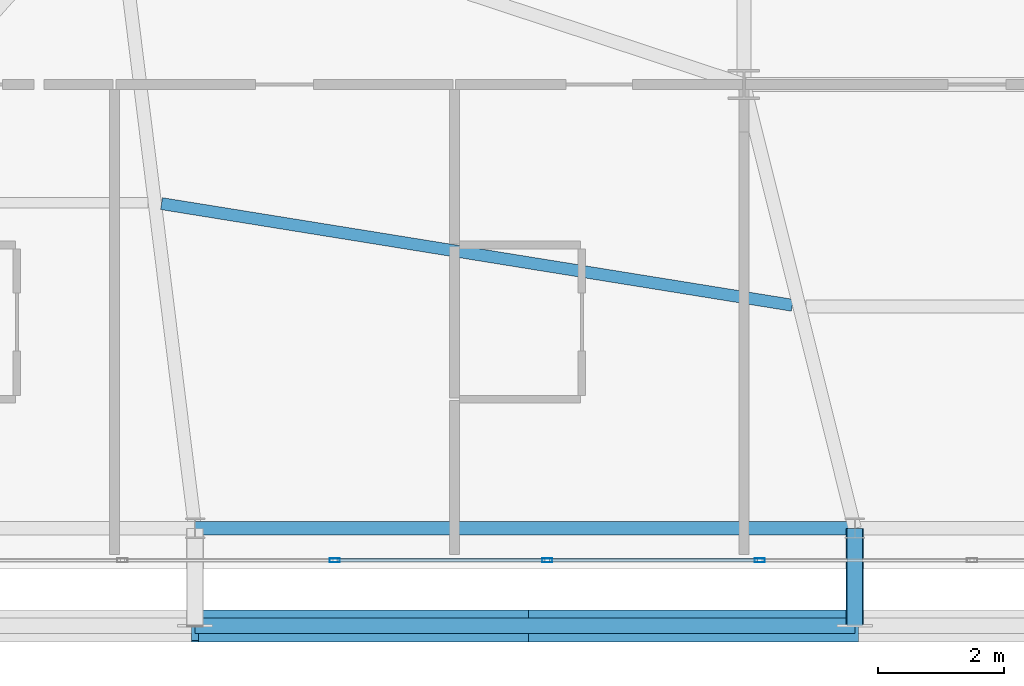
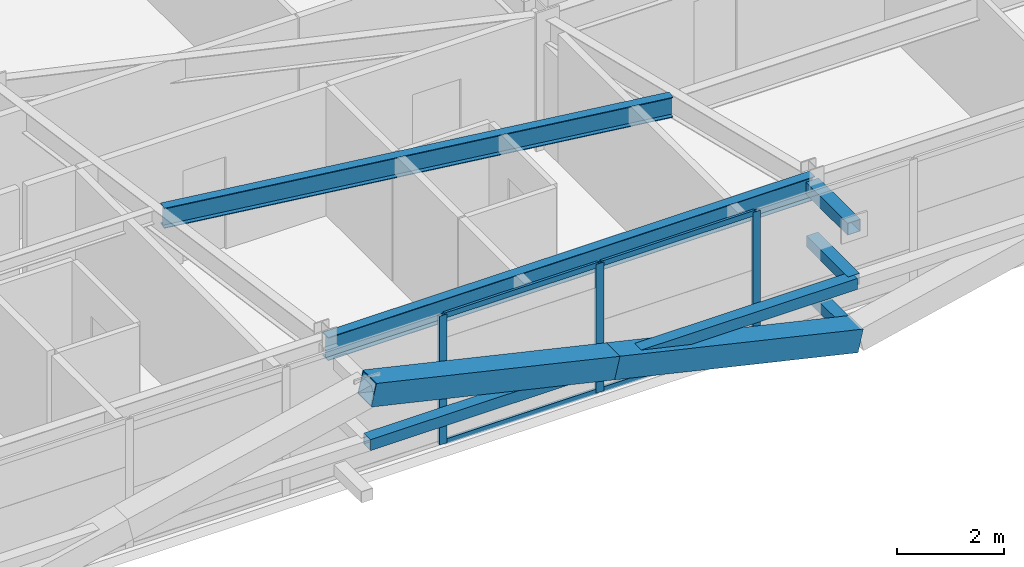
# One storey, part 11 of 58: 13 members, 2 beams, 1 element without a shape of its own.
"""IFC4 building model written with IfcOpenShell, lengths in metres."""

import ifcopenshell
import ifcopenshell.guid

model = None  # the IFC model being written
_history = None  # IfcOwnerHistory: only IFC2X3 demands one
_inside = {}  # id of a spatial element -> (the spatial element, [elements in it])
_under = {}  # id of a project, library or spatial element -> (it, [spatial elements below it])
_declared = {}  # id of a project -> (the project, [libraries it declares])
_typed = {}  # id of a type object -> (the type object, [elements of that type])
_made_of = {}  # id of a material, layer set ... -> (it, [elements and type objects made of it])


def new_model(schema):
    """Start an empty IFC model of exactly this schema.

    Asked for "IFC4X3", IfcOpenShell would pick the latest addendum, in which some entities
    have other attributes; the version numbers below select the first issue.
    IFC2X3 requires an IfcOwnerHistory on every rooted entity: one is made here for all.
    """
    global model, _history
    if schema == "IFC4X3":
        model = ifcopenshell.file(schema_version=(4, 3, 0, 0))
    else:
        model = ifcopenshell.file(schema=schema)
    _inside.clear()
    _under.clear()
    _declared.clear()
    _typed.clear()
    _made_of.clear()
    _history = None
    if model.schema == "IFC2X3":
        org = make("IfcOrganization", Name="unknown")
        user = make(
            "IfcPersonAndOrganization",
            ThePerson=make("IfcPerson", FamilyName="unknown"),
            TheOrganization=org,
        )
        app = make(
            "IfcApplication",
            ApplicationDeveloper=org,
            Version="unknown",
            ApplicationFullName="unknown",
            ApplicationIdentifier="unknown",
        )
        _history = make(
            "IfcOwnerHistory",
            OwningUser=user,
            OwningApplication=app,
            ChangeAction="ADDED",
            CreationDate=0,
        )
    return model


def make(cls, **values):
    """One entity of the class cls with the attributes given. An attribute that is None is left unset."""
    return model.create_entity(
        cls, **{name: value for name, value in values.items() if value is not None}
    )


def rooted(cls, **values):
    """An entity with a GlobalId (a new one), such as an element, a storey or a relation."""
    return make(cls, GlobalId=ifcopenshell.guid.new(), OwnerHistory=_history, **values)


def si_unit(unit_type, name, prefix=None):
    """IfcSIUnit, for example si_unit("LENGTHUNIT", "METRE", prefix="MILLI")."""
    return make("IfcSIUnit", UnitType=unit_type, Prefix=prefix, Name=name)


def assignment(units):
    """IfcUnitAssignment: the units of a project."""
    return None if units is None else make("IfcUnitAssignment", Units=units)


def point(xyz):
    """IfcCartesianPoint."""
    return None if xyz is None else make("IfcCartesianPoint", Coordinates=xyz)


def direction(xyz):
    """IfcDirection."""
    return None if xyz is None else make("IfcDirection", DirectionRatios=xyz)


def frame(location, z_axis=None, x_axis=None):
    """IfcAxis2Placement3D, a coordinate frame: its origin and axes. An axis left out is left unset."""
    return make(
        "IfcAxis2Placement3D",
        Location=point(location),
        Axis=direction(z_axis),
        RefDirection=direction(x_axis),
    )


def frame_2d(location, x_axis=None):
    """IfcAxis2Placement2D, a coordinate frame in the plane: its origin and x axis."""
    return make(
        "IfcAxis2Placement2D", Location=point(location), RefDirection=direction(x_axis)
    )


def origin():
    """The frame at (0, 0, 0) with its axes left unset."""
    return frame((0.0, 0.0, 0.0))


def origin_2d():
    """The frame at (0, 0) in the plane with its x axis left unset."""
    return frame_2d((0.0, 0.0))


def place(relative_to, where):
    """IfcLocalPlacement: puts the frame where relative to a parent placement (None: the world)."""
    return make(
        "IfcLocalPlacement", PlacementRelTo=relative_to, RelativePlacement=where
    )


def context(
    kind, dimensions, precision=None, world=None, true_north=None, identifier=None
):
    """IfcGeometricRepresentationContext, for example the 3D "Model" context."""
    return make(
        "IfcGeometricRepresentationContext",
        ContextIdentifier=identifier,
        ContextType=kind,
        CoordinateSpaceDimension=dimensions,
        Precision=precision,
        WorldCoordinateSystem=world,
        TrueNorth=true_north,
    )


def subcontext(parent, identifier, kind, view, scale=None):
    """IfcGeometricRepresentationSubContext, for example "Body" below "Model"."""
    return make(
        "IfcGeometricRepresentationSubContext",
        ContextIdentifier=identifier,
        ContextType=kind,
        ParentContext=parent,
        TargetScale=scale,
        TargetView=view,
    )


def project(units=None, contexts=None):
    """IfcProject with its units and contexts."""
    return rooted(
        "IfcProject",
        Name="project",
        RepresentationContexts=contexts,
        UnitsInContext=assignment(units),
    )


def spatial(cls, under=None, at=None, **own):
    """A site, building, storey or space (cls), placed at a placement, below another one or the project."""
    s = rooted(cls, ObjectPlacement=at, **own)
    if under is not None:
        _under.setdefault(under.id(), (under, []))[1].append(s)
    return s


def profile(cls, at=None, kind="AREA", **sizes):
    """A parametric profile (cls). Its sizes go by their IFC names, for example OverallWidth=200.0."""
    return make(cls, ProfileType=kind, Position=at, **sizes)


def hollow_rectangle(**sizes):
    """IfcRectangleHollowProfileDef."""
    return profile("IfcRectangleHollowProfileDef", **sizes)


def i_section(**sizes):
    """IfcIShapeProfileDef."""
    return profile("IfcIShapeProfileDef", **sizes)


def extrude(swept, where, along, depth):
    """IfcExtrudedAreaSolid: the profile swept, set in the frame where, extruded along a direction by depth."""
    return make(
        "IfcExtrudedAreaSolid",
        SweptArea=swept,
        Position=where,
        ExtrudedDirection=direction(along),
        Depth=depth,
    )


def shape(context_of_items, identifier, shape_type, items):
    """IfcShapeRepresentation: the items that make up one representation, for example the "Body"."""
    return make(
        "IfcShapeRepresentation",
        ContextOfItems=context_of_items,
        RepresentationIdentifier=identifier,
        RepresentationType=shape_type,
        Items=items,
    )


def source(mapping_origin, context_of_items, identifier, shape_type, items):
    """IfcRepresentationMap: a shape defined once, which mapped items show again and again."""
    return make(
        "IfcRepresentationMap",
        MappingOrigin=mapping_origin,
        MappedRepresentation=shape(context_of_items, identifier, shape_type, items),
    )


def transform(
    local_origin,
    x_axis=None,
    y_axis=None,
    z_axis=None,
    scale=None,
    scale2=None,
    scale3=None,
    uniform=True,
):
    """IfcCartesianTransformationOperator3D, or its non-uniform kind. x_axis, y_axis, z_axis: its Axis1, 2, 3."""
    if uniform:
        return make(
            "IfcCartesianTransformationOperator3D",
            Axis1=direction(x_axis),
            Axis2=direction(y_axis),
            LocalOrigin=point(local_origin),
            Scale=scale,
            Axis3=direction(z_axis),
        )
    return make(
        "IfcCartesianTransformationOperator3DnonUniform",
        Axis1=direction(x_axis),
        Axis2=direction(y_axis),
        LocalOrigin=point(local_origin),
        Scale=scale,
        Axis3=direction(z_axis),
        Scale2=scale2,
        Scale3=scale3,
    )


def mapped(mapping_source, mapping_target):
    """IfcMappedItem: shows the shape of a source again, moved by a transform."""
    return make(
        "IfcMappedItem", MappingSource=mapping_source, MappingTarget=mapping_target
    )


def material(Name=None, Category=None):
    """IfcMaterial."""
    return make("IfcMaterial", Name=Name, Category=Category)


def layer(
    of_material, thickness, ventilated=None, Name=None, Category=None, Priority=None
):
    """IfcMaterialLayer: one layer of a wall or slab, of a material (None: an air gap)."""
    return make(
        "IfcMaterialLayer",
        Material=of_material,
        LayerThickness=thickness,
        IsVentilated=ventilated,
        Name=Name,
        Category=Category,
        Priority=Priority,
    )


def layer_set(layers, Name=None):
    """IfcMaterialLayerSet."""
    return make("IfcMaterialLayerSet", MaterialLayers=layers, LayerSetName=Name)


def material_profile(
    of_material, cross_section, Name=None, Category=None, Priority=None
):
    """IfcMaterialProfile: a cross section and its material."""
    return make(
        "IfcMaterialProfile",
        Name=Name,
        Material=of_material,
        Profile=cross_section,
        Priority=Priority,
        Category=Category,
    )


def profile_set(profiles, Name=None, composite=None):
    """IfcMaterialProfileSet."""
    return make(
        "IfcMaterialProfileSet",
        Name=Name,
        MaterialProfiles=profiles,
        CompositeProfile=composite,
    )


def made_of(thing, what):
    """Note that an element or type object is made of a material, layer set ...; save() writes the relation."""
    if what is not None:
        _made_of.setdefault(what.id(), (what, []))[1].append(thing)
    return thing


def type_object(cls, material=None, **own):
    """A type object (cls), such as IfcWallType, which elements share."""
    return made_of(rooted(cls, **own), material)


def element(
    cls,
    number,
    at=None,
    inside=None,
    cuts=None,
    type_object=None,
    material=None,
    context=None,
    identifier="Body",
    shape_type=None,
    held_by="IfcProductDefinitionShape",
    body=None,
    shapes=None,
    **own,
):
    """One element of the class cls, such as IfcWall. Its Tag is "e" and its number.

    at: its placement. inside: the storey or other place that contains it. cuts: it is an
    opening in that element (IfcRelVoidsElement). A single representation is given by context,
    identifier, shape_type and body (its items); several are given by shapes. held_by: the class
    of the entity that holds the representations. save() writes the other relations.
    """
    e = rooted(cls, Tag="e%d" % number, ObjectPlacement=at, **own)
    if body is not None:
        shapes = [shape(context, identifier, shape_type, body)]
    if shapes is not None:
        e.Representation = make(held_by, Representations=shapes)
    if inside is not None:
        _inside.setdefault(inside.id(), (inside, []))[1].append(e)
    if cuts is not None:
        rooted(
            "IfcRelVoidsElement", RelatingBuildingElement=cuts, RelatedOpeningElement=e
        )
    if type_object is not None:
        _typed.setdefault(type_object.id(), (type_object, []))[1].append(e)
    return made_of(e, material)


def aggregate(whole, parts):
    """IfcRelAggregates: a whole, such as a stair, and the parts it consists of."""
    return rooted("IfcRelAggregates", RelatingObject=whole, RelatedObjects=parts)


def save(model, path):
    """Write the relations noted so far, then the file.

    IfcRelAggregates (storeys below a building ...), IfcRelContainedInSpatialStructure (elements
    in a storey), IfcRelDefinesByType, IfcRelAssociatesMaterial and IfcRelDeclares: one each for
    every whole, place, type object, material and project.
    """
    for whole, parts in _under.values():
        aggregate(whole, parts)
    for where, things in _inside.values():
        rooted(
            "IfcRelContainedInSpatialStructure",
            RelatedElements=things,
            RelatingStructure=where,
        )
    for kind, things in _typed.values():
        rooted("IfcRelDefinesByType", RelatedObjects=things, RelatingType=kind)
    for what, things in _made_of.values():
        rooted("IfcRelAssociatesMaterial", RelatedObjects=things, RelatingMaterial=what)
    for by, libraries in _declared.values():
        rooted("IfcRelDeclares", RelatingContext=by, RelatedDefinitions=libraries)
    model.write(path)


model = new_model("IFC4")

# Units and contexts
model_context = context("Model", 3, precision=1e-05, world=origin(), true_north=direction((0.0, 1.0)))
body_context = subcontext(model_context, "Body", "Model", "MODEL_VIEW")
ifc_project = project(units=[si_unit("LENGTHUNIT", "METRE"), si_unit("AREAUNIT", "SQUARE_METRE"), si_unit("VOLUMEUNIT", "CUBIC_METRE"), si_unit("PLANEANGLEUNIT", "RADIAN"), si_unit("MASSUNIT", "GRAM", prefix="KILO")], contexts=[model_context])

# Site, building, storey
site_placement = place(None, origin())
site = spatial("IfcSite", under=ifc_project, at=site_placement, CompositionType="ELEMENT")
building_placement = place(site_placement, origin())
building = spatial("IfcBuilding", under=site, at=building_placement, Name="Taldren Reach Tower", CompositionType="ELEMENT")
storey_placement = place(building_placement, frame((0.0, 0.0, 35.699951171875)))
storey = spatial("IfcBuildingStorey", under=building, at=storey_placement, Name="L10", CompositionType="ELEMENT", Elevation=35.699951171875)

# Beams
ifc_material_1 = material(Name="Steel Gr 350 (350PLUS)", Category="steel")
ifc_material_profile_1 = material_profile(ifc_material_1, i_section(OverallWidth=0.208984375, OverallDepth=0.528076171875, WebThickness=0.009521484375, FlangeThickness=0.01318359375, at=origin_2d()), Name="530UB82.0")
ifc_profile_set_1 = profile_set([ifc_material_profile_1], Name="Steel Gr 350 (350PLUS)")
beam_type_1 = type_object("IfcBeamType", Name="SP-UB530B", PredefinedType="SPANDREL", material=ifc_profile_set_1)
shared_shape_1 = source(origin(), body_context, "Body", "SweptSolid", [
    extrude(i_section(OverallWidth=0.208984375, OverallDepth=0.528076171875, WebThickness=0.009521484375, FlangeThickness=0.01318359375, at=origin_2d()), origin(), (0.0, 0.0, 1.0), 10.47998046875),
])
beam_1_placement = place(storey_placement, frame((19.280029296875, 2.14990234375, 2.666015625), z_axis=(1.0, 0.0, 0.0), x_axis=(0.0, 1.0, 0.0)))
element("IfcBeam", 1, at=beam_1_placement, inside=storey, type_object=beam_type_1, Name="Perimeter spandrel B1 S2-S3 L10", PredefinedType="SPANDREL", context=body_context, shape_type="MappedRepresentation", body=[
    mapped(shared_shape_1, transform((0.0, 0.0, 0.0), scale=1.0)),
])
ifc_material_profile_2 = material_profile(ifc_material_1, i_section(OverallWidth=0.19091796875, OverallDepth=0.4599609375, WebThickness=0.010009765625, FlangeThickness=0.01611328125, at=origin_2d()), Name="460UB82.1")
ifc_profile_set_2 = profile_set([ifc_material_profile_2], Name="Steel Gr 350 (350PLUS)")
beam_type_2 = type_object("IfcBeamType", Name="BM-UB460A", PredefinedType="BEAM", material=ifc_profile_set_2)
shared_shape_2 = source(origin(), body_context, "Body", "SweptSolid", [
    extrude(i_section(OverallWidth=0.19091796875, OverallDepth=0.4599609375, WebThickness=0.010009765625, FlangeThickness=0.01611328125, at=origin_2d()), origin(), (0.0, 0.0, 1.0), 10.1494140625),
])
beam_2_placement = place(storey_placement, frame((18.74755859375, 7.3076171875, 2.699951171875), z_axis=(0.987266967452, -0.159072106224, 0.0), x_axis=(0.159072106224, 0.987266967452, 0.0)))
element("IfcBeam", 2, at=beam_2_placement, inside=storey, type_object=beam_type_2, Name="Secondary floor beam B1 J2 L10", PredefinedType="BEAM", context=body_context, shape_type="MappedRepresentation", body=[
    mapped(shared_shape_2, transform((0.0, 0.0, 0.0), scale=1.0)),
])

# Members
ifc_material_2 = material(Name="Steel Gr 450 (C450L0)", Category="steel")
ifc_material_profile_3 = material_profile(ifc_material_2, hollow_rectangle(XDim=0.27490234375, YDim=0.27490234375, WallThickness=0.00927734375, at=origin_2d()), Name="275x275x9.3SHS")
ifc_profile_set_3 = profile_set([ifc_material_profile_3], Name="Steel Gr 450 (C450L0)")
member_type_1 = type_object("IfcMemberType", Name="MB-TIE273", PredefinedType="STRUT", material=ifc_profile_set_3)
shared_shape_3 = source(origin(), body_context, "Body", "SweptSolid", [
    extrude(hollow_rectangle(XDim=0.27490234375, YDim=0.27490234375, WallThickness=0.00927734375, at=origin_2d()), origin(), (0.0, 0.0, 1.0), 1.5498046875),
])
member_1_placement = place(storey_placement, frame((29.760009765625, 2.14990234375, 2.650146484375), z_axis=(0.0, -1.0, 0.0), x_axis=(1.0, 0.0, 0.0)))
element("IfcMember", 3, at=member_1_placement, inside=storey, type_object=member_type_1, Name="Exoskeleton diaphragm tie strut B1-S3 L10", PredefinedType="STRUT", context=body_context, shape_type="MappedRepresentation", body=[
    mapped(shared_shape_3, transform((0.0, 0.0, 0.0), scale=1.0)),
])
ifc_material_profile_4 = material_profile(ifc_material_2, hollow_rectangle(XDim=0.510009765625, YDim=0.510009765625, WallThickness=0.02001953125, at=origin_2d()), Name="510x510x20.0SHS")
ifc_profile_set_4 = profile_set([ifc_material_profile_4], Name="Steel Gr 450 (C450L0)")
member_type_2 = type_object("IfcMemberType", Name="MB-EXO508", PredefinedType="BRACE", material=ifc_profile_set_4)
shared_shape_4 = source(origin(), body_context, "Body", "SweptSolid", [
    extrude(hollow_rectangle(XDim=0.510009765625, YDim=0.510009765625, WallThickness=0.02001953125, at=origin_2d()), origin(), (0.0, 0.0, 1.0), 5.37890625),
])
for number, where, z_axis, x_axis, name in (
    (4, (29.760009765625, 0.60009765625, 0.219970703125), (-0.97415197996, 0.0, 0.225893603143), (0.0, -1.0, 0.0), "Exoskeleton Diagrid Brace B1-S2 L10"),
    (5, (24.52001953125, 0.60009765625, 1.43505859375), (-0.97415197996, 0.0, 0.225893603143), (0.0, -1.0, 0.0), "Exoskeleton Diagrid Brace B1-S2 L10"),
):
    element("IfcMember", number, at=place(storey_placement, frame(where, z_axis=z_axis, x_axis=x_axis)), inside=storey, type_object=member_type_2, Name=name, PredefinedType="BRACE", context=body_context, shape_type="MappedRepresentation", body=[
        mapped(shared_shape_4, transform((0.0, 0.0, 0.0), scale=1.0)),
    ])
ifc_material_3 = material(Name="Steel Gr 350 (C350L0)", Category="steel")
ifc_material_profile_5 = material_profile(ifc_material_3, hollow_rectangle(XDim=0.25, YDim=0.25, WallThickness=0.010009765625, at=origin_2d()), Name="250x250x10.0SHS")
ifc_profile_set_5 = profile_set([ifc_material_profile_5], Name="Steel Gr 350 (C350L0)")
member_type_3 = type_object("IfcMemberType", Name="MB-POST250", PredefinedType="POST", material=ifc_profile_set_5)
shared_shape_5 = source(origin(), body_context, "Body", "SweptSolid", [
    extrude(hollow_rectangle(XDim=0.25, YDim=0.25, WallThickness=0.010009765625, at=origin_2d()), origin(), (0.0, 0.0, 1.0), 10.47998046875),
])
member_2_placement = place(storey_placement, frame((19.280029296875, 0.60009765625, 1.43505859375), z_axis=(1.0, 0.0, 0.0), x_axis=(0.0, 1.0, 0.0)))
element("IfcMember", 6, at=member_2_placement, inside=storey, type_object=member_type_3, Name="Exoskeleton mid-height ring chord B1-S2 L10", PredefinedType="POST", context=body_context, shape_type="MappedRepresentation", body=[
    mapped(shared_shape_5, transform((0.0, 0.0, 0.0), scale=1.0)),
])
shared_shape_6 = source(origin(), body_context, "Body", "SweptSolid", [
    extrude(hollow_rectangle(XDim=0.25, YDim=0.25, WallThickness=0.010009765625, at=origin_2d()), origin(), (0.0, 0.0, 1.0), 1.5498046875),
])
for number, where, z_axis, x_axis, name in (
    (7, (29.760009765625, 2.14990234375, 0.219970703125), (0.0, -1.0, 0.0), (1.0, 0.0, 0.0), "Exoskeleton base diaphragm tie strut B1-S3 L10"),
    (8, (29.760009765625, 2.14990234375, 1.43505859375), (0.0, -1.0, 0.0), (1.0, 0.0, 0.0), "Exoskeleton mid-tier diaphragm tie B1-S3 L10"),
):
    element("IfcMember", number, at=place(storey_placement, frame(where, z_axis=z_axis, x_axis=x_axis)), inside=storey, type_object=member_type_3, Name=name, PredefinedType="POST", context=body_context, shape_type="MappedRepresentation", body=[
        mapped(shared_shape_6, transform((0.0, 0.0, 0.0), scale=1.0)),
    ])

# Curtain wall, members
ifc_material_4 = material(Name="Aluminium and Low-E Glass Unitised System", Category="aluminium")
ifc_layer = layer(ifc_material_4, 0.159912109375)
ifc_layer_set = layer_set([ifc_layer], Name="Aluminium and Low-E Glass Unitised System")
curtain_wall_type = type_object("IfcCurtainWallType", Name="CW-SYS-2", PredefinedType="NOTDEFINED", material=ifc_layer_set)
curtain_wall_placement = place(storey_placement, origin())
curtain_wall = element("IfcCurtainWall", 9, at=curtain_wall_placement, inside=storey, type_object=curtain_wall_type, Name="Unitised curtain wall CW-L10-S", PredefinedType="NOTDEFINED")
ifc_material_5 = material(Name="Anodised Aluminium 6063-T6", Category="aluminium")
ifc_material_profile_6 = material_profile(ifc_material_5, hollow_rectangle(XDim=0.06494140625, YDim=0.1650390625, WallThickness=0.00390625, at=origin_2d()), Name="ALU-165x65x4RHS")
ifc_profile_set_6 = profile_set([ifc_material_profile_6], Name="Anodised Aluminium 6063-T6")
member_type_4 = type_object("IfcMemberType", Name="CW-MUL-165", PredefinedType="MULLION", material=ifc_profile_set_6)
shared_shape_7 = source(origin(), body_context, "Body", "SweptSolid", [
    extrude(hollow_rectangle(XDim=0.06494140625, YDim=0.1650390625, WallThickness=0.00390625, at=origin_2d()), origin(), (0.0, 0.0, 1.0), 2.929931640625),
])
member_3_placement = place(storey_placement, frame((21.5, 1.639892578125, 0.0), z_axis=(0.0, 0.0, 1.0), x_axis=(0.0, 1.0, 0.0)))
member_3 = element("IfcMember", 10, at=member_3_placement, type_object=member_type_4, Name="CW-2 mullion 5", PredefinedType="MULLION", context=body_context, shape_type="MappedRepresentation", body=[
    mapped(shared_shape_7, transform((0.0, 0.0, 0.0), scale=1.0)),
])
member_4_placement = place(storey_placement, frame((24.875, 1.639892578125, 0.0), z_axis=(0.0, 0.0, 1.0), x_axis=(0.0, 1.0, 0.0)))
member_4 = element("IfcMember", 11, at=member_4_placement, type_object=member_type_4, Name="CW-2 mullion 6", PredefinedType="MULLION", context=body_context, shape_type="MappedRepresentation", body=[
    mapped(shared_shape_7, transform((0.0, 0.0, 0.0), scale=1.0)),
])
member_5_placement = place(storey_placement, frame((28.25, 1.639892578125, 0.0), z_axis=(0.0, 0.0, 1.0), x_axis=(0.0, 1.0, 0.0)))
member_5 = element("IfcMember", 12, at=member_5_placement, type_object=member_type_4, Name="CW-2 mullion 7", PredefinedType="MULLION", context=body_context, shape_type="MappedRepresentation", body=[
    mapped(shared_shape_7, transform((0.0, 0.0, 0.0), scale=1.0)),
])
ifc_material_profile_7 = material_profile(ifc_material_5, hollow_rectangle(XDim=0.054931640625, YDim=0.1201171875, WallThickness=0.0029296875, at=origin_2d()), Name="ALU-120x55x3RHS")
ifc_profile_set_7 = profile_set([ifc_material_profile_7], Name="Anodised Aluminium 6063-T6")
member_type_5 = type_object("IfcMemberType", Name="CW-TRN-135", PredefinedType="USERDEFINED", material=ifc_profile_set_7)
shared_shape_8 = source(origin(), body_context, "Body", "SweptSolid", [
    extrude(hollow_rectangle(XDim=0.054931640625, YDim=0.1201171875, WallThickness=0.0029296875, at=origin_2d()), origin(), (0.0, 0.0, 1.0), 3.31005859375),
])
member_6_placement = place(storey_placement, frame((21.532470703125, 1.639892578125, 0.027587890625), z_axis=(1.0, 0.0, 0.0), x_axis=(0.0, 1.0, 0.0)))
member_6 = element("IfcMember", 13, at=member_6_placement, type_object=member_type_5, Name="CW-2 transom 5.1", ObjectType="TRANSOM", PredefinedType="USERDEFINED", context=body_context, shape_type="MappedRepresentation", body=[
    mapped(shared_shape_8, transform((0.0, 0.0, 0.0), scale=1.0)),
])
member_7_placement = place(storey_placement, frame((21.532470703125, 1.639892578125, 2.902587890625), z_axis=(1.0, 0.0, 0.0), x_axis=(0.0, 1.0, 0.0)))
member_7 = element("IfcMember", 14, at=member_7_placement, type_object=member_type_5, Name="CW-2 transom 5.2", ObjectType="TRANSOM", PredefinedType="USERDEFINED", context=body_context, shape_type="MappedRepresentation", body=[
    mapped(shared_shape_8, transform((0.0, 0.0, 0.0), scale=1.0)),
])
member_8_placement = place(storey_placement, frame((24.907470703125, 1.639892578125, 0.027587890625), z_axis=(1.0, 0.0, 0.0), x_axis=(0.0, 1.0, 0.0)))
member_8 = element("IfcMember", 15, at=member_8_placement, type_object=member_type_5, Name="CW-2 transom 6.1", ObjectType="TRANSOM", PredefinedType="USERDEFINED", context=body_context, shape_type="MappedRepresentation", body=[
    mapped(shared_shape_8, transform((0.0, 0.0, 0.0), scale=1.0)),
])
member_9_placement = place(storey_placement, frame((24.907470703125, 1.639892578125, 2.902587890625), z_axis=(1.0, 0.0, 0.0), x_axis=(0.0, 1.0, 0.0)))
member_9 = element("IfcMember", 16, at=member_9_placement, type_object=member_type_5, Name="CW-2 transom 6.2", ObjectType="TRANSOM", PredefinedType="USERDEFINED", context=body_context, shape_type="MappedRepresentation", body=[
    mapped(shared_shape_8, transform((0.0, 0.0, 0.0), scale=1.0)),
])
aggregate(curtain_wall, [member_3, member_4, member_5, member_6, member_7, member_8, member_9])

save(model, "model.ifc")
